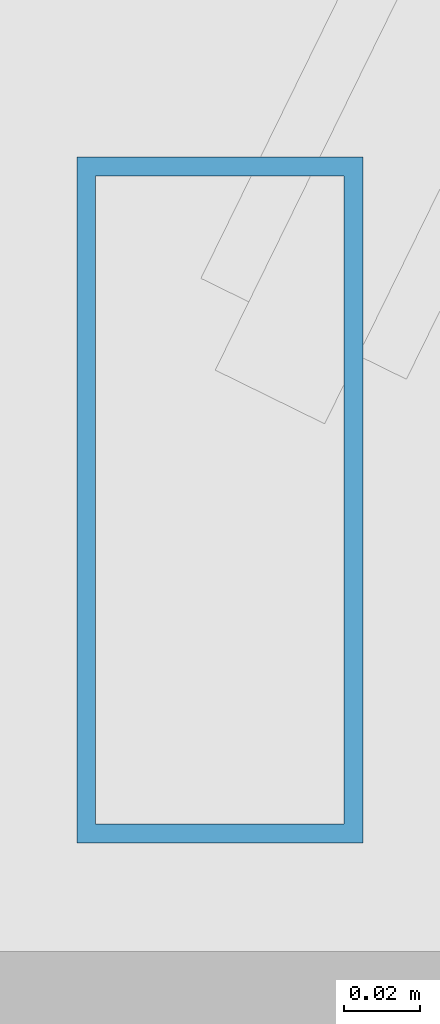
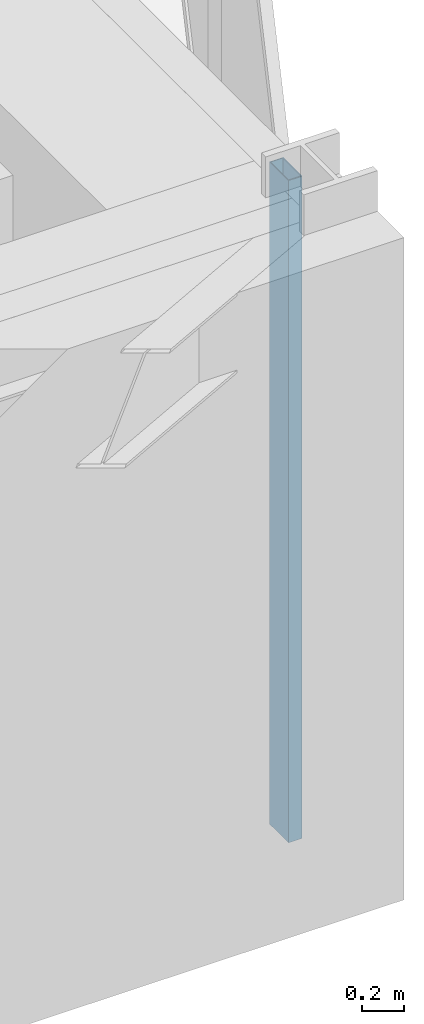
# One storey, part 16 of 30: 1 member, 1 element without a shape of its own.
"""IFC4 building model written with IfcOpenShell, lengths in metres."""

from ifc_helpers import new_model, si_unit, direction, frame, origin, origin_2d, place, context, subcontext, project, spatial, hollow_rectangle, extrude, material, layer, layer_set, material_profile, profile_set, type_object, element, aggregate, save


model = new_model("IFC4")

# Units and contexts
model_context = context("Model", 3, precision=1e-05, world=origin(), true_north=direction((0.0, 1.0)))
body_context = subcontext(model_context, "Body", "Model", "MODEL_VIEW")
ifc_project = project(units=[si_unit("LENGTHUNIT", "METRE"), si_unit("AREAUNIT", "SQUARE_METRE"), si_unit("VOLUMEUNIT", "CUBIC_METRE"), si_unit("PLANEANGLEUNIT", "RADIAN"), si_unit("MASSUNIT", "GRAM", prefix="KILO")], contexts=[model_context])

# Site, building, storey
site_placement = place(None, origin())
site = spatial("IfcSite", under=ifc_project, at=site_placement, CompositionType="ELEMENT")
building_placement = place(site_placement, origin())
building = spatial("IfcBuilding", under=site, at=building_placement, Name="Veymaron Broadcast Tower", CompositionType="ELEMENT")
storey_placement = place(building_placement, frame((0.0, 0.0, 66.14990234375)))
storey = spatial("IfcBuildingStorey", under=building, at=storey_placement, Name="L14", CompositionType="ELEMENT", Elevation=66.14990234375)

# Curtain wall, member
ifc_material_1 = material(Name="Anodised aluminium AA 6063-T6 and laminated low-E dark glass", Category="aluminium")
ifc_layer = layer(ifc_material_1, 0.179931640625)
ifc_layer_set = layer_set([ifc_layer], Name="Anodised aluminium AA 6063-T6 and laminated low-E dark glass")
curtain_wall_type = type_object("IfcCurtainWallType", Name="CW-SYS-02", PredefinedType="NOTDEFINED", material=ifc_layer_set)
curtain_wall_placement = place(storey_placement, origin())
curtain_wall = element("IfcCurtainWall", 1, at=curtain_wall_placement, inside=storey, type_object=curtain_wall_type, Name="L14 dark-glass curtain wall CW-L14-E2-1", PredefinedType="NOTDEFINED")
ifc_material_2 = material(Name="Anodised aluminium AA 6063-T6", Category="aluminium")
ifc_material_profile = material_profile(ifc_material_2, hollow_rectangle(XDim=0.074951171875, YDim=0.179931640625, WallThickness=0.0048828125, at=origin_2d()), Name="AL180X75X5")
ifc_profile_set = profile_set([ifc_material_profile], Name="Anodised aluminium AA 6063-T6")
member_type = type_object("IfcMemberType", Name="CW-MUL-02", PredefinedType="MULLION", material=ifc_profile_set)
member_placement = place(storey_placement, frame((54.60009765625, 16.31787109375, 0.0), z_axis=(0.0, 0.0, 1.0), x_axis=(1.0, 0.0, 0.0)))
member = element("IfcMember", 2, at=member_placement, type_object=member_type, Name="CW-L14-E2-1 mullion 0", PredefinedType="MULLION", context=body_context, shape_type="SweptSolid", body=[
    extrude(hollow_rectangle(XDim=0.074951171875, YDim=0.179931640625, WallThickness=0.0048828125, at=origin_2d()), origin(), (0.0, 0.0, 1.0), 3.81005859375),
])
aggregate(curtain_wall, [member])

save(model, "model.ifc")
